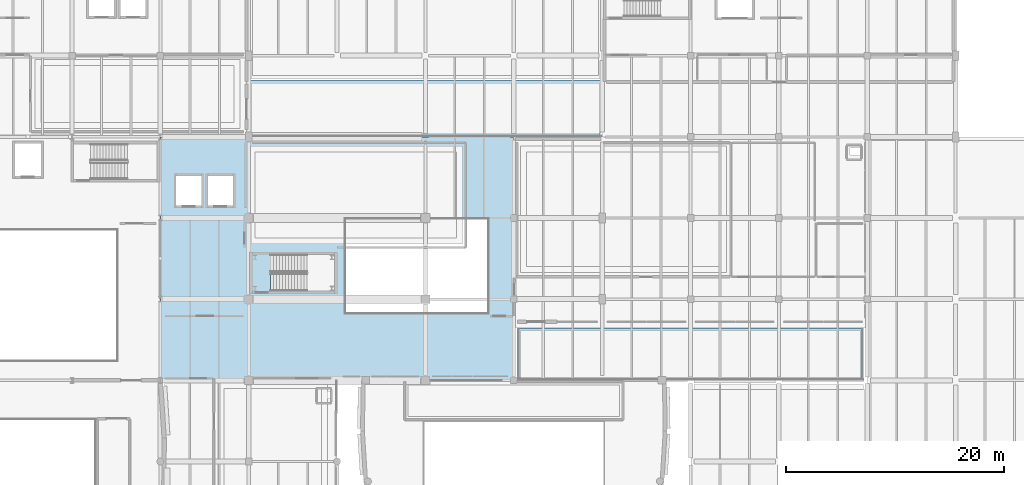
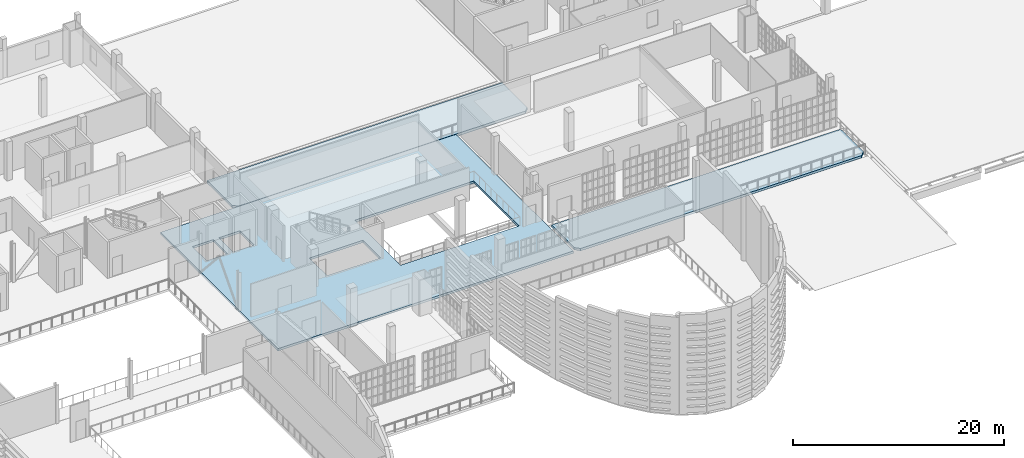
# One storey, part 51 of 73: 3 slabs.
"""IFC4 building model written with IfcOpenShell, lengths in metres."""

from ifc_helpers import new_model, si_unit, direction, frame, origin, place, context, subcontext, project, spatial, polyline, outline, extrude, material, layer, layer_set, type_object, element, save


model = new_model("IFC4")

# Units and contexts
model_context = context("Model", 3, precision=1e-05, world=origin(), true_north=direction((0.0, 1.0)))
body_context = subcontext(model_context, "Body", "Model", "MODEL_VIEW")
ifc_project = project(units=[si_unit("LENGTHUNIT", "METRE"), si_unit("AREAUNIT", "SQUARE_METRE"), si_unit("VOLUMEUNIT", "CUBIC_METRE"), si_unit("PLANEANGLEUNIT", "RADIAN"), si_unit("MASSUNIT", "GRAM", prefix="KILO")], contexts=[model_context])

# Site, building, storey
site_placement = place(None, origin())
site = spatial("IfcSite", under=ifc_project, at=site_placement, CompositionType="ELEMENT")
building_placement = place(site_placement, origin())
building = spatial("IfcBuilding", under=site, at=building_placement, Name="Kaelora Sail Theatre", CompositionType="ELEMENT")
storey_placement = place(building_placement, frame((0.0, 0.0, 10.199951171875)))
storey = spatial("IfcBuildingStorey", under=building, at=storey_placement, Name="L02", CompositionType="ELEMENT", Elevation=10.199951171875)

# Slabs
ifc_material_1 = material(Name="Concrete C40/50", Category="concrete")
ifc_layer_1 = layer(ifc_material_1, 0.260009765625)
ifc_layer_set_1 = layer_set([ifc_layer_1], Name="Concrete C40/50")
slab_type_1 = type_object("IfcSlabType", Name="STR-SLB-SL-FL260", PredefinedType="FLOOR", material=ifc_layer_set_1)
slab_1_placement = place(storey_placement, frame((0.0, 0.0, -0.260009765625)))
element("IfcSlab", 1, at=slab_1_placement, inside=storey, type_object=slab_type_1, Name="Glazed Foyer floor slab FC1 (L02)", PredefinedType="FLOOR", context=body_context, shape_type="SweptSolid", body=[
    extrude(outline(polyline([(58.215087890625, 61.034912109375), (90.5849609375, 61.034912109375), (90.5849609375, 83.324951171875), (58.215087890625, 83.324951171875), (58.215087890625, 61.034912109375)]), holes=[polyline([(68.31494140625, 69.199951171875), (74.169921875, 69.199951171875), (74.169921875, 72.550048828125), (68.31494140625, 72.550048828125), (68.31494140625, 69.199951171875)]), polyline([(59.64990234375, 77.050048828125), (61.949951171875, 77.050048828125), (61.949951171875, 79.75), (59.64990234375, 79.75), (59.64990234375, 77.050048828125)]), polyline([(62.550048828125, 77.050048828125), (64.85009765625, 77.050048828125), (64.85009765625, 79.75), (62.550048828125, 79.75), (62.550048828125, 77.050048828125)]), polyline([(75.199951171875, 67.199951171875), (88.199951171875, 67.199951171875), (88.199951171875, 75.800048828125), (75.199951171875, 75.800048828125), (75.199951171875, 67.199951171875)])]), origin(), (0.0, 0.0, 1.0), 0.260009765625),
])
ifc_material_2 = material(Name="Concrete C40/50", Category="concrete")
ifc_layer_2 = layer(ifc_material_2, 0.27490234375)
ifc_layer_set_2 = layer_set([ifc_layer_2], Name="Concrete C40/50")
slab_type_2 = type_object("IfcSlabType", Name="STR-SLB-SL-TR275", PredefinedType="FLOOR", material=ifc_layer_set_2)
slab_2_placement = place(storey_placement, frame((0.0, 0.0, -0.27490234375)))
element("IfcSlab", 2, at=slab_2_placement, inside=storey, type_object=slab_type_2, Name="Second Step East Interval Bar Planted Terrace", PredefinedType="FLOOR", context=body_context, shape_type="SweptSolid", body=[
    extrude(outline(polyline([(91.39990234375, 61.034912109375), (122.199951171875, 61.034912109375), (122.64990234375, 61.485107421875), (122.64990234375, 65.81494140625), (90.949951171875, 65.81494140625), (90.949951171875, 61.485107421875), (91.39990234375, 61.034912109375)])), origin(), (0.0, 0.0, 1.0), 0.27490234375),
])
ifc_material_3 = material(Name="Concrete C40/50", Category="concrete")
ifc_layer_3 = layer(ifc_material_3, 0.294921875)
ifc_layer_set_3 = layer_set([ifc_layer_3], Name="Concrete C40/50")
slab_type_3 = type_object("IfcSlabType", Name="STR-SLB-SL-TR295", PredefinedType="FLOOR", material=ifc_layer_set_3)
slab_3_placement = place(storey_placement, frame((0.0, 0.0, -0.294921875)))
element("IfcSlab", 3, at=slab_3_placement, inside=storey, type_object=slab_type_3, Name="Third Step Central Courtyard Amphitheatre Roof Garden", PredefinedType="FLOOR", context=body_context, shape_type="SweptSolid", body=[
    extrude(outline(polyline([(66.760009765625, 83.35498046875), (98.239990234375, 83.35498046875), (98.68994140625, 83.804931640625), (98.68994140625, 88.550048828125), (66.31005859375, 88.550048828125), (66.31005859375, 83.804931640625), (66.760009765625, 83.35498046875)])), origin(), (0.0, 0.0, 1.0), 0.294921875),
])

save(model, "model.ifc")
